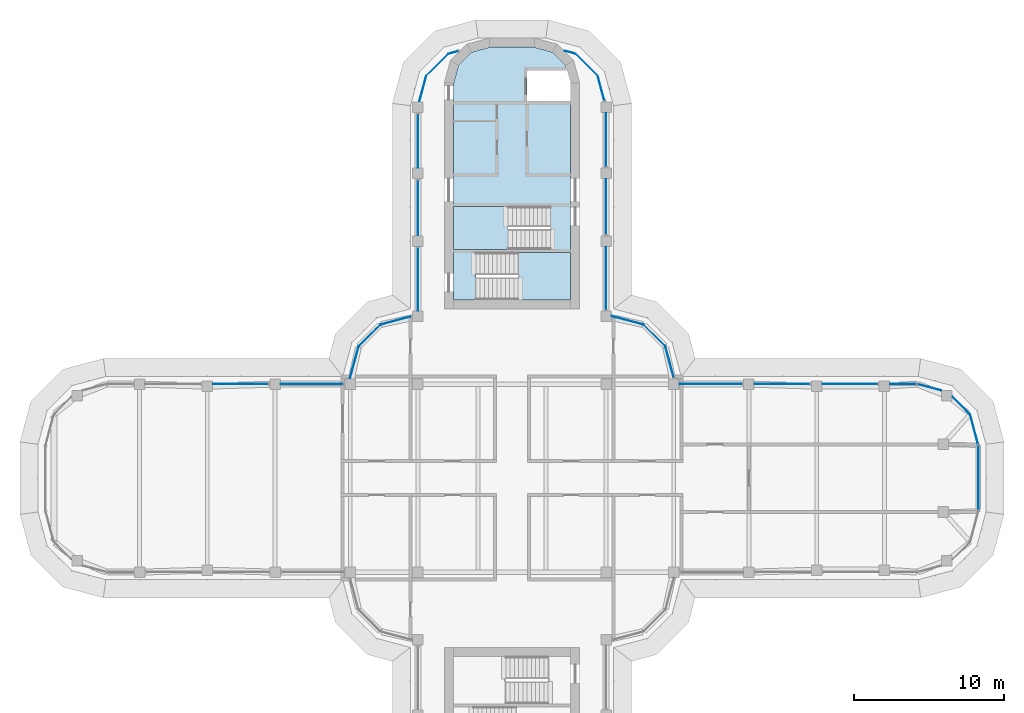
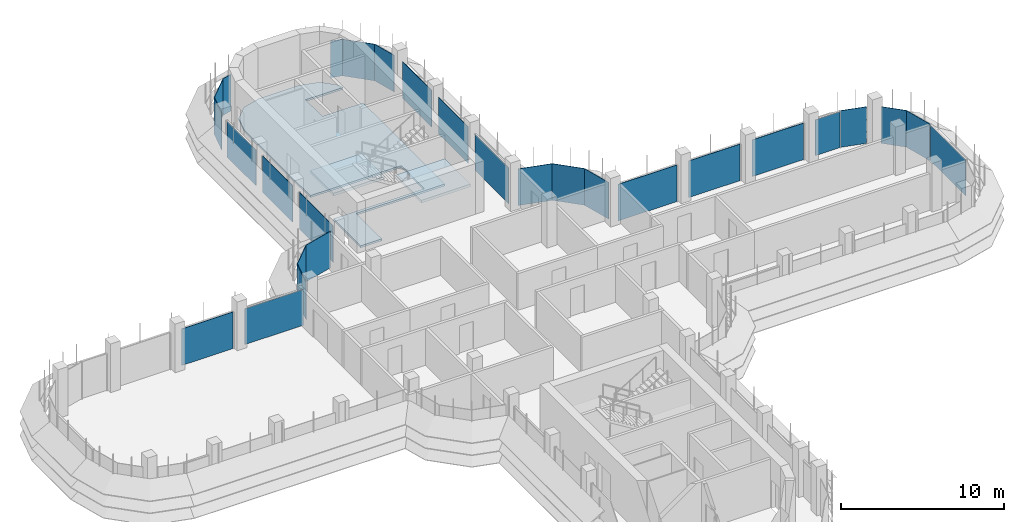
# One storey, part 12 of 19: 28 plates, 3 slabs, 22 elements without a shape of their own.
"""IFC4 building model written with IfcOpenShell, lengths in metres."""

from ifc_helpers import new_model, si_unit, direction, frame, origin, place, context, subcontext, project, spatial, polyline, outline, extrude, source, transform, mapped, material, layer, layer_set, type_object, element, aggregate, save


model = new_model("IFC4")

# Units and contexts
model_context = context("Model", 3, precision=1e-05, world=origin(), true_north=direction((0.0, 1.0)))
body_context = subcontext(model_context, "Body", "Model", "MODEL_VIEW")
ifc_project = project(units=[si_unit("LENGTHUNIT", "METRE"), si_unit("AREAUNIT", "SQUARE_METRE"), si_unit("VOLUMEUNIT", "CUBIC_METRE"), si_unit("PLANEANGLEUNIT", "RADIAN"), si_unit("MASSUNIT", "GRAM", prefix="KILO")], contexts=[model_context])

# Site, building, storey
site_placement = place(None, origin())
site = spatial("IfcSite", under=ifc_project, at=site_placement, CompositionType="ELEMENT")
building_placement = place(site_placement, origin())
building = spatial("IfcBuilding", under=site, at=building_placement, Name="Zarbagh Exchange Tower", CompositionType="ELEMENT")
storey_placement = place(building_placement, frame((0.0, 0.0, 237.199951171875)))
storey = spatial("IfcBuildingStorey", under=building, at=storey_placement, Name="L58", CompositionType="ELEMENT", Elevation=237.199951171875)

# Slab
ifc_material_1 = material(Name="Concrete C40/50", Category="concrete")
ifc_layer_1 = layer(ifc_material_1, 0.14990234375)
ifc_layer_set_1 = layer_set([ifc_layer_1], Name="Core floor slab 150 C40/50")
slab_type_1 = type_object("IfcSlabType", Name="Core floor slab 150 C40/50", PredefinedType="FLOOR", material=ifc_layer_set_1)
slab_1_placement = place(storey_placement, frame((0.0, 0.0, -0.14990234375)))
element("IfcSlab", 1, at=slab_1_placement, inside=storey, type_object=slab_type_1, Name="S17 core N", PredefinedType="FLOOR", context=body_context, shape_type="SweptSolid", body=[
    extrude(outline(polyline([(-3.89990234375, 11.85009765625), (-3.89990234375, 15.199951171875), (2.550048828125, 15.199951171875), (2.550048828125, 18.050048828125), (-3.89990234375, 18.050048828125), (-3.89990234375, 26.1708984375), (-3.56005859375, 27.439453125), (-2.689453125, 28.31005859375), (-1.4208984375, 28.64990234375), (1.4208984375, 28.64990234375), (2.689453125, 28.31005859375), (3.56005859375, 27.439453125), (3.651123046875, 27.10009765625), (1.0, 27.10009765625), (1.0, 25.050048828125), (3.89990234375, 25.050048828125), (3.89990234375, 15.0), (-2.39990234375, 15.0), (-2.39990234375, 11.85009765625), (-3.89990234375, 11.85009765625)])), origin(), (0.0, 0.0, 1.0), 0.14990234375),
])

# Stair, slab
stair_type = type_object("IfcStairType", Name="Exit stair two-flight half-turn", PredefinedType="HALF_TURN_STAIR", material=ifc_material_1)
stair_1_placement = place(storey_placement, origin())
stair_1 = element("IfcStair", 2, at=stair_1_placement, inside=storey, type_object=stair_type, Name="exit stair ST1", PredefinedType="HALF_TURN_STAIR")
ifc_layer_2 = layer(ifc_material_1, 0.199951171875)
ifc_layer_set_2 = layer_set([ifc_layer_2], Name="Stair landing 200 mm")
slab_type_2 = type_object("IfcSlabType", Name="Stair landing 200 mm", PredefinedType="LANDING", material=ifc_layer_set_2)
slab_2_placement = place(storey_placement, frame((0.0, 0.0, 1.699951171875)))
slab_2 = element("IfcSlab", 3, at=slab_2_placement, type_object=slab_type_2, Name="ST1 landing 1", PredefinedType="LANDING", context=body_context, shape_type="SweptSolid", body=[
    extrude(outline(polyline([(-0.25, 18.050048828125), (-3.89990234375, 18.050048828125), (-3.89990234375, 15.199951171875), (-0.25, 15.199951171875), (-0.25, 18.050048828125)])), origin(), (0.0, 0.0, 1.0), 0.2001953125),
])
aggregate(stair_1, [slab_2])

stair_2_placement = place(storey_placement, origin())
stair_2 = element("IfcStair", 4, at=stair_2_placement, inside=storey, type_object=stair_type, Name="exit stair ST2", PredefinedType="HALF_TURN_STAIR")
slab_3_placement = place(storey_placement, frame((0.0, 0.0, 1.699951171875)))
slab_3 = element("IfcSlab", 5, at=slab_3_placement, type_object=slab_type_2, Name="ST2 landing 1", PredefinedType="LANDING", context=body_context, shape_type="SweptSolid", body=[
    extrude(outline(polyline([(0.39990234375, 11.85009765625), (3.89990234375, 11.85009765625), (3.89990234375, 15.0), (0.39990234375, 15.0), (0.39990234375, 11.85009765625)])), origin(), (0.0, 0.0, 1.0), 0.2001953125),
])
aggregate(stair_2, [slab_3])

# Curtain wall, plate
ifc_material_2 = material(Name="Anodised aluminium frame and glazing", Category="aluminium")
curtain_wall_type = type_object("IfcCurtainWallType", Name="CWB Ribbon glazing, upper zones", PredefinedType="NOTDEFINED", material=ifc_material_2)
curtain_wall_1_placement = place(storey_placement, origin())
curtain_wall_1 = element("IfcCurtainWall", 6, at=curtain_wall_1_placement, inside=storey, type_object=curtain_wall_type, Name="CWB18 curtain wall", PredefinedType="NOTDEFINED")
ifc_material_3 = material(Name="Low-e double glazed unit, 6+12+6 mm")
ifc_layer_3 = layer(ifc_material_3, 0.031982421875)
ifc_layer_set_3 = layer_set([ifc_layer_3], Name="PAB Glazing panel, Low-e double glazed unit, 6+12+6 mm")
plate_type = type_object("IfcPlateType", Name="PAB Glazing panel, Low-e double glazed unit, 6+12+6 mm", PredefinedType="CURTAIN_PANEL", material=ifc_layer_set_3)
shared_shape_1 = source(origin(), body_context, "Body", "SweptSolid", [
    extrude(outline(polyline([(0.0, -0.01611328125), (2.061279296875, -0.01611328125), (2.061279296875, 0.01611328125), (0.0, 0.01611328125), (0.0, -0.01611328125)])), origin(), (0.0, 0.0, 1.0), 2.75),
])
placement = place(storey_placement, origin())
plate_1 = element("IfcPlate", 7, at=placement, type_object=plate_type, Name="CWB18 glazing panel 1.1", PredefinedType="CURTAIN_PANEL", context=body_context, shape_type="MappedRepresentation", body=[
    mapped(shared_shape_1, transform((10.19873046875, 8.7412109375, 0.0), x_axis=(-0.707106781187, 0.707106781187, 0.0), y_axis=(-0.707106781187, -0.707106781187, 0.0), z_axis=(0.0, 0.0, 1.0))),
])
aggregate(curtain_wall_1, [plate_1])

curtain_wall_2_placement = place(storey_placement, origin())
curtain_wall_2 = element("IfcCurtainWall", 8, at=curtain_wall_2_placement, inside=storey, type_object=curtain_wall_type, Name="CWB74 curtain wall", PredefinedType="NOTDEFINED")
plate_2 = element("IfcPlate", 9, at=placement, type_object=plate_type, Name="CWB74 glazing panel 1.1", PredefinedType="CURTAIN_PANEL", context=body_context, shape_type="MappedRepresentation", body=[
    mapped(shared_shape_1, transform((5.69873046875, 26.7412109375, 0.0), x_axis=(-0.707106781187, 0.707106781187, 0.0), y_axis=(-0.707106781187, -0.707106781187, 0.0), z_axis=(0.0, 0.0, 1.0))),
])
aggregate(curtain_wall_2, [plate_2])

curtain_wall_3_placement = place(storey_placement, origin())
curtain_wall_3 = element("IfcCurtainWall", 10, at=curtain_wall_3_placement, inside=storey, type_object=curtain_wall_type, Name="CWB71 curtain wall", PredefinedType="NOTDEFINED")
plate_3 = element("IfcPlate", 11, at=placement, type_object=plate_type, Name="CWB71 glazing panel 1.1", PredefinedType="CURTAIN_PANEL", context=body_context, shape_type="MappedRepresentation", body=[
    mapped(shared_shape_1, transform((-4.2412109375, 28.19873046875, 0.0), x_axis=(-0.707106781187, -0.707106781187, 0.0), y_axis=(0.707106781187, -0.707106781187, 0.0), z_axis=(0.0, 0.0, 1.0))),
])
aggregate(curtain_wall_3, [plate_3])

curtain_wall_4_placement = place(storey_placement, origin())
curtain_wall_4 = element("IfcCurtainWall", 12, at=curtain_wall_4_placement, inside=storey, type_object=curtain_wall_type, Name="CWB30 curtain wall", PredefinedType="NOTDEFINED")
plate_4 = element("IfcPlate", 13, at=placement, type_object=plate_type, Name="CWB30 glazing panel 1.1", PredefinedType="CURTAIN_PANEL", context=body_context, shape_type="MappedRepresentation", body=[
    mapped(shared_shape_1, transform((-8.7412109375, 10.19873046875, 0.0), x_axis=(-0.707106781187, -0.707106781187, 0.0), y_axis=(0.707106781187, -0.707106781187, 0.0), z_axis=(0.0, 0.0, 1.0))),
])
aggregate(curtain_wall_4, [plate_4])

curtain_wall_5_placement = place(storey_placement, origin())
curtain_wall_5 = element("IfcCurtainWall", 14, at=curtain_wall_5_placement, inside=storey, type_object=curtain_wall_type, Name="CWB67 curtain wall", PredefinedType="NOTDEFINED")
shared_shape_2 = source(origin(), body_context, "Body", "SweptSolid", [
    extrude(outline(polyline([(0.0, -0.01611328125), (3.56005859375, -0.01611328125), (3.56005859375, 0.01611328125), (0.0, 0.01611328125), (0.0, -0.01611328125)])), origin(), (0.0, 0.0, 1.0), 2.75),
])
plate_5 = element("IfcPlate", 15, at=placement, type_object=plate_type, Name="CWB67 glazing panel 3.1", PredefinedType="CURTAIN_PANEL", context=body_context, shape_type="MappedRepresentation", body=[
    mapped(shared_shape_2, transform((6.25, 20.699951171875, 0.0), x_axis=(0.0, 1.0, 0.0), y_axis=(-1.0, 0.0, 0.0), z_axis=(0.0, 0.0, 1.0))),
])

curtain_wall_6_placement = place(storey_placement, origin())
curtain_wall_6 = element("IfcCurtainWall", 16, at=curtain_wall_6_placement, inside=storey, type_object=curtain_wall_type, Name="CWB12 curtain wall", PredefinedType="NOTDEFINED")
shared_shape_3 = source(origin(), body_context, "Body", "SweptSolid", [
    extrude(outline(polyline([(0.0, -0.01611328125), (4.308349609375, -0.01611328125), (4.308349609375, 0.01611328125), (0.0, 0.01611328125), (0.0, -0.01611328125)])), origin(), (0.0, 0.0, 1.0), 2.68994140625),
])
plate_6 = element("IfcPlate", 17, at=placement, type_object=plate_type, Name="CWB12 glazing panel 1.1", PredefinedType="CURTAIN_PANEL", context=body_context, shape_type="MappedRepresentation", body=[
    mapped(shared_shape_3, transform((31.0, -2.124267578125, 0.0), x_axis=(0.0, 1.0, 0.0), y_axis=(-1.0, 0.0, 0.0), z_axis=(0.0, 0.0, 1.0))),
])
aggregate(curtain_wall_6, [plate_6])

curtain_wall_7_placement = place(storey_placement, origin())
curtain_wall_7 = element("IfcCurtainWall", 18, at=curtain_wall_7_placement, inside=storey, type_object=curtain_wall_type, Name="CWB13 curtain wall", PredefinedType="NOTDEFINED")
shared_shape_4 = source(origin(), body_context, "Body", "SweptSolid", [
    extrude(outline(polyline([(0.0, -0.01611328125), (2.069580078125, -0.01611328125), (2.069580078125, 0.01611328125), (0.0, 0.01611328125), (0.0, -0.01611328125)])), origin(), (0.0, 0.0, 1.0), 2.75),
])
plate_7 = element("IfcPlate", 19, at=placement, type_object=plate_type, Name="CWB13 glazing panel 1.1", PredefinedType="CURTAIN_PANEL", context=body_context, shape_type="MappedRepresentation", body=[
    mapped(shared_shape_4, transform((30.984375, 2.2421875, 0.0), x_axis=(-0.258824779902, 0.965924289636, 0.0), y_axis=(-0.965924289636, -0.258824779902, 0.0), z_axis=(0.0, 0.0, 1.0))),
])
aggregate(curtain_wall_7, [plate_7])

curtain_wall_8_placement = place(storey_placement, origin())
curtain_wall_8 = element("IfcCurtainWall", 20, at=curtain_wall_8_placement, inside=storey, type_object=curtain_wall_type, Name="CWB73 curtain wall", PredefinedType="NOTDEFINED")
shared_shape_5 = source(origin(), body_context, "Body", "SweptSolid", [
    extrude(outline(polyline([(0.0, -0.01611328125), (3.56005859375, -0.01611328125), (3.56005859375, 0.01611328125), (0.0, 0.01611328125), (0.0, -0.01611328125)])), origin(), (0.0, 0.0, 1.0), 2.68994140625),
])
plate_8 = element("IfcPlate", 21, at=placement, type_object=plate_type, Name="CWB73 glazing panel 1.1", PredefinedType="CURTAIN_PANEL", context=body_context, shape_type="MappedRepresentation", body=[
    mapped(shared_shape_5, transform((-6.25, 24.199951171875, 0.0), x_axis=(0.0, -1.0, 0.0), y_axis=(1.0, 0.0, 0.0), z_axis=(0.0, 0.0, 1.0))),
])

curtain_wall_9_placement = place(storey_placement, origin())
curtain_wall_9 = element("IfcCurtainWall", 22, at=curtain_wall_9_placement, inside=storey, type_object=curtain_wall_type, Name="CWB72 curtain wall", PredefinedType="NOTDEFINED")
shared_shape_6 = source(origin(), body_context, "Body", "SweptSolid", [
    extrude(outline(polyline([(0.0, -0.01611328125), (1.76123046875, -0.01611328125), (1.76123046875, 0.01611328125), (0.0, 0.01611328125), (0.0, -0.01611328125)])), origin(), (0.0, 0.0, 1.0), 2.75),
])
plate_9 = element("IfcPlate", 23, at=placement, type_object=plate_type, Name="CWB72 glazing panel 1.1", PredefinedType="CURTAIN_PANEL", context=body_context, shape_type="MappedRepresentation", body=[
    mapped(shared_shape_6, transform((-5.69873046875, 26.7412109375, 0.0), x_axis=(-0.258824779902, -0.965924289636, 0.0), y_axis=(0.965924289636, -0.258824779902, 0.0), z_axis=(0.0, 0.0, 1.0))),
])
aggregate(curtain_wall_9, [plate_9])

# Curtain wall, plates
curtain_wall_10_placement = place(storey_placement, origin())
curtain_wall_10 = element("IfcCurtainWall", 24, at=curtain_wall_10_placement, inside=storey, type_object=curtain_wall_type, Name="CWB16 curtain wall", PredefinedType="NOTDEFINED")
shared_shape_7 = source(origin(), body_context, "Body", "SweptSolid", [
    extrude(outline(polyline([(0.0, -0.01611328125), (3.659912109375, -0.01611328125), (3.659912109375, 0.01611328125), (0.0, 0.01611328125), (0.0, -0.01611328125)])), origin(), (0.0, 0.0, 1.0), 2.75),
])
plate_10 = element("IfcPlate", 25, at=placement, type_object=plate_type, Name="CWB16 glazing panel 2.1", PredefinedType="CURTAIN_PANEL", context=body_context, shape_type="MappedRepresentation", body=[
    mapped(shared_shape_7, transform((24.300048828125, 6.25, 0.0), x_axis=(-1.0, 0.0, 0.0), y_axis=(0.0, -1.0, 0.0), z_axis=(0.0, 0.0, 1.0))),
])
plate_11 = element("IfcPlate", 26, at=placement, type_object=plate_type, Name="CWB16 glazing panel 3.1", PredefinedType="CURTAIN_PANEL", context=body_context, shape_type="MappedRepresentation", body=[
    mapped(shared_shape_7, transform((19.800048828125, 6.25, 0.0), x_axis=(-1.0, 0.0, 0.0), y_axis=(0.0, -1.0, 0.0), z_axis=(0.0, 0.0, 1.0))),
])

# Plate
plate_12 = element("IfcPlate", 27, at=placement, type_object=plate_type, Name="CWB67 glazing panel 2.1", PredefinedType="CURTAIN_PANEL", context=body_context, shape_type="MappedRepresentation", body=[
    mapped(shared_shape_7, transform((6.25, 16.199951171875, 0.0), x_axis=(0.0, 1.0, 0.0), y_axis=(-1.0, 0.0, 0.0), z_axis=(0.0, 0.0, 1.0))),
])

plate_13 = element("IfcPlate", 28, at=placement, type_object=plate_type, Name="CWB73 glazing panel 2.1", PredefinedType="CURTAIN_PANEL", context=body_context, shape_type="MappedRepresentation", body=[
    mapped(shared_shape_7, transform((-6.25, 19.800048828125, 0.0), x_axis=(0.0, -1.0, 0.0), y_axis=(1.0, 0.0, 0.0), z_axis=(0.0, 0.0, 1.0))),
])

# Curtain wall, plate
curtain_wall_11_placement = place(storey_placement, origin())
curtain_wall_11 = element("IfcCurtainWall", 29, at=curtain_wall_11_placement, inside=storey, type_object=curtain_wall_type, Name="CWB58 curtain wall", PredefinedType="NOTDEFINED")
plate_14 = element("IfcPlate", 30, at=placement, type_object=plate_type, Name="CWB58 glazing panel 2.1", PredefinedType="CURTAIN_PANEL", context=body_context, shape_type="MappedRepresentation", body=[
    mapped(shared_shape_7, transform((-16.199951171875, 6.25, 0.0), x_axis=(-1.0, 0.0, 0.0), y_axis=(0.0, -1.0, 0.0), z_axis=(0.0, 0.0, 1.0))),
])

# Plate
shared_shape_8 = source(origin(), body_context, "Body", "SweptSolid", [
    extrude(outline(polyline([(0.0, -0.01611328125), (4.159912109375, -0.01611328125), (4.159912109375, 0.01611328125), (0.0, 0.01611328125), (0.0, -0.01611328125)])), origin(), (0.0, 0.0, 1.0), 2.75),
])
plate_15 = element("IfcPlate", 31, at=placement, type_object=plate_type, Name="CWB16 glazing panel 4.1", PredefinedType="CURTAIN_PANEL", context=body_context, shape_type="MappedRepresentation", body=[
    mapped(shared_shape_8, transform((15.300048828125, 6.25, 0.0), x_axis=(-1.0, 0.0, 0.0), y_axis=(0.0, -1.0, 0.0), z_axis=(0.0, 0.0, 1.0))),
])

plate_16 = element("IfcPlate", 32, at=placement, type_object=plate_type, Name="CWB73 glazing panel 3.1", PredefinedType="CURTAIN_PANEL", context=body_context, shape_type="MappedRepresentation", body=[
    mapped(shared_shape_8, transform((-6.25, 15.300048828125, 0.0), x_axis=(0.0, -1.0, 0.0), y_axis=(1.0, 0.0, 0.0), z_axis=(0.0, 0.0, 1.0))),
])

aggregate(curtain_wall_8, [plate_8, plate_13, plate_16])

# Curtain wall, plate
curtain_wall_12_placement = place(storey_placement, origin())
curtain_wall_12 = element("IfcCurtainWall", 33, at=curtain_wall_12_placement, inside=storey, type_object=curtain_wall_type, Name="CWB17 curtain wall", PredefinedType="NOTDEFINED")
shared_shape_9 = source(origin(), body_context, "Body", "SweptSolid", [
    extrude(outline(polyline([(0.0, -0.01611328125), (2.115234375, -0.01611328125), (2.115234375, 0.01611328125), (0.0, 0.01611328125), (0.0, -0.01611328125)])), origin(), (0.0, 0.0, 1.0), 2.75),
])
plate_17 = element("IfcPlate", 34, at=placement, type_object=plate_type, Name="CWB17 glazing panel 1.1", PredefinedType="CURTAIN_PANEL", context=body_context, shape_type="MappedRepresentation", body=[
    mapped(shared_shape_9, transform((10.746337890625, 6.697998046875, 0.0), x_axis=(-0.258824779902, 0.965924289636, 0.0), y_axis=(-0.965924289636, -0.258824779902, 0.0), z_axis=(0.0, 0.0, 1.0))),
])
aggregate(curtain_wall_12, [plate_17])

curtain_wall_13_placement = place(storey_placement, origin())
curtain_wall_13 = element("IfcCurtainWall", 35, at=curtain_wall_13_placement, inside=storey, type_object=curtain_wall_type, Name="CWB29 curtain wall", PredefinedType="NOTDEFINED")
plate_18 = element("IfcPlate", 36, at=placement, type_object=plate_type, Name="CWB29 glazing panel 1.1", PredefinedType="CURTAIN_PANEL", context=body_context, shape_type="MappedRepresentation", body=[
    mapped(shared_shape_9, transform((-6.697998046875, 10.746337890625, 0.0), x_axis=(-0.965924289636, -0.258824779902, 0.0), y_axis=(0.258824779902, -0.965924289636, 0.0), z_axis=(0.0, 0.0, 1.0))),
])
aggregate(curtain_wall_13, [plate_18])

curtain_wall_14_placement = place(storey_placement, origin())
curtain_wall_14 = element("IfcCurtainWall", 37, at=curtain_wall_14_placement, inside=storey, type_object=curtain_wall_type, Name="CWB19 curtain wall", PredefinedType="NOTDEFINED")
shared_shape_10 = source(origin(), body_context, "Body", "SweptSolid", [
    extrude(outline(polyline([(0.0, -0.01611328125), (2.17529296875, -0.01611328125), (2.17529296875, 0.01611328125), (0.0, 0.01611328125), (0.0, -0.01611328125)])), origin(), (0.0, 0.0, 1.0), 2.75),
])
plate_19 = element("IfcPlate", 38, at=placement, type_object=plate_type, Name="CWB19 glazing panel 1.1", PredefinedType="CURTAIN_PANEL", context=body_context, shape_type="MappedRepresentation", body=[
    mapped(shared_shape_10, transform((8.7412109375, 10.19873046875, 0.0), x_axis=(-0.965924289636, 0.258824779902, 0.0), y_axis=(-0.258824779902, -0.965924289636, 0.0), z_axis=(0.0, 0.0, 1.0))),
])
aggregate(curtain_wall_14, [plate_19])

curtain_wall_15_placement = place(storey_placement, origin())
curtain_wall_15 = element("IfcCurtainWall", 39, at=curtain_wall_15_placement, inside=storey, type_object=curtain_wall_type, Name="CWB31 curtain wall", PredefinedType="NOTDEFINED")
plate_20 = element("IfcPlate", 40, at=placement, type_object=plate_type, Name="CWB31 glazing panel 1.1", PredefinedType="CURTAIN_PANEL", context=body_context, shape_type="MappedRepresentation", body=[
    mapped(shared_shape_10, transform((-10.19873046875, 8.7412109375, 0.0), x_axis=(-0.258824779902, -0.965924289636, 0.0), y_axis=(0.965924289636, -0.258824779902, 0.0), z_axis=(0.0, 0.0, 1.0))),
])
aggregate(curtain_wall_15, [plate_20])

# Plate
shared_shape_11 = source(origin(), body_context, "Body", "SweptSolid", [
    extrude(outline(polyline([(0.0, -0.01611328125), (4.159912109375, -0.01611328125), (4.159912109375, 0.01611328125), (0.0, 0.01611328125), (0.0, -0.01611328125)])), origin(), (0.0, 0.0, 1.0), 2.68994140625),
])
plate_21 = element("IfcPlate", 41, at=placement, type_object=plate_type, Name="CWB67 glazing panel 1.1", PredefinedType="CURTAIN_PANEL", context=body_context, shape_type="MappedRepresentation", body=[
    mapped(shared_shape_11, transform((6.25, 11.199951171875, 0.0), x_axis=(0.0, 1.0, 0.0), y_axis=(-1.0, 0.0, 0.0), z_axis=(0.0, 0.0, 1.0))),
])

aggregate(curtain_wall_5, [plate_21, plate_12, plate_5])

plate_22 = element("IfcPlate", 42, at=placement, type_object=plate_type, Name="CWB58 glazing panel 1.1", PredefinedType="CURTAIN_PANEL", context=body_context, shape_type="MappedRepresentation", body=[
    mapped(shared_shape_11, transform((-11.199951171875, 6.25, 0.0), x_axis=(-1.0, 0.0, 0.0), y_axis=(0.0, -1.0, 0.0), z_axis=(0.0, 0.0, 1.0))),
])

aggregate(curtain_wall_11, [plate_22, plate_14])

# Curtain wall, plate
curtain_wall_16_placement = place(storey_placement, origin())
curtain_wall_16 = element("IfcCurtainWall", 43, at=curtain_wall_16_placement, inside=storey, type_object=curtain_wall_type, Name="CWB14 curtain wall", PredefinedType="NOTDEFINED")
shared_shape_12 = source(origin(), body_context, "Body", "SweptSolid", [
    extrude(outline(polyline([(0.0, -0.01611328125), (1.62744140625, -0.01611328125), (1.62744140625, 0.01611328125), (0.0, 0.01611328125), (0.0, -0.01611328125)])), origin(), (0.0, 0.0, 1.0), 2.75),
])
plate_23 = element("IfcPlate", 44, at=placement, type_object=plate_type, Name="CWB14 glazing panel 1.1", PredefinedType="CURTAIN_PANEL", context=body_context, shape_type="MappedRepresentation", body=[
    mapped(shared_shape_12, transform((30.44873046875, 4.2412109375, 0.0), x_axis=(-0.707106781187, 0.707106781187, 0.0), y_axis=(-0.707106781187, -0.707106781187, 0.0), z_axis=(0.0, 0.0, 1.0))),
])
aggregate(curtain_wall_16, [plate_23])

curtain_wall_17_placement = place(storey_placement, origin())
curtain_wall_17 = element("IfcCurtainWall", 45, at=curtain_wall_17_placement, inside=storey, type_object=curtain_wall_type, Name="CWB15 curtain wall", PredefinedType="NOTDEFINED")
shared_shape_13 = source(origin(), body_context, "Body", "SweptSolid", [
    extrude(outline(polyline([(0.0, -0.01611328125), (1.6396484375, -0.01611328125), (1.6396484375, 0.01611328125), (0.0, 0.01611328125), (0.0, -0.01611328125)])), origin(), (0.0, 0.0, 1.0), 2.75),
])
plate_24 = element("IfcPlate", 46, at=placement, type_object=plate_type, Name="CWB15 glazing panel 1.1", PredefinedType="CURTAIN_PANEL", context=body_context, shape_type="MappedRepresentation", body=[
    mapped(shared_shape_13, transform((28.51806640625, 5.82568359375, 0.0), x_axis=(-0.965924289636, 0.258824779902, 0.0), y_axis=(-0.258824779902, -0.965924289636, 0.0), z_axis=(0.0, 0.0, 1.0))),
])
aggregate(curtain_wall_17, [plate_24])

# Plate
shared_shape_14 = source(origin(), body_context, "Body", "SweptSolid", [
    extrude(outline(polyline([(0.0, -0.01611328125), (1.734130859375, -0.01611328125), (1.734130859375, 0.01611328125), (0.0, 0.01611328125), (0.0, -0.01611328125)])), origin(), (0.0, 0.0, 1.0), 2.68994140625),
])
plate_25 = element("IfcPlate", 47, at=placement, type_object=plate_type, Name="CWB16 glazing panel 1.1", PredefinedType="CURTAIN_PANEL", context=body_context, shape_type="MappedRepresentation", body=[
    mapped(shared_shape_14, transform((26.874267578125, 6.25, 0.0), x_axis=(-1.0, 0.0, 0.0), y_axis=(0.0, -1.0, 0.0), z_axis=(0.0, 0.0, 1.0))),
])

aggregate(curtain_wall_10, [plate_25, plate_10, plate_11, plate_15])

# Curtain wall, plate
curtain_wall_18_placement = place(storey_placement, origin())
curtain_wall_18 = element("IfcCurtainWall", 48, at=curtain_wall_18_placement, inside=storey, type_object=curtain_wall_type, Name="CWB68 curtain wall", PredefinedType="NOTDEFINED")
shared_shape_15 = source(origin(), body_context, "Body", "SweptSolid", [
    extrude(outline(polyline([(0.0, -0.01611328125), (1.701171875, -0.01611328125), (1.701171875, 0.01611328125), (0.0, 0.01611328125), (0.0, -0.01611328125)])), origin(), (0.0, 0.0, 1.0), 2.75),
])
plate_26 = element("IfcPlate", 49, at=placement, type_object=plate_type, Name="CWB68 glazing panel 1.1", PredefinedType="CURTAIN_PANEL", context=body_context, shape_type="MappedRepresentation", body=[
    mapped(shared_shape_15, transform((6.13916015625, 25.097900390625, 0.0), x_axis=(-0.258824779902, 0.965924289636, 0.0), y_axis=(-0.965924289636, -0.258824779902, 0.0), z_axis=(0.0, 0.0, 1.0))),
])
aggregate(curtain_wall_18, [plate_26])

curtain_wall_19_placement = place(storey_placement, origin())
curtain_wall_19 = element("IfcCurtainWall", 50, at=curtain_wall_19_placement, inside=storey, type_object=curtain_wall_type, Name="CWB69 curtain wall", PredefinedType="NOTDEFINED")
shared_shape_16 = source(origin(), body_context, "Body", "SweptSolid", [
    extrude(outline(polyline([(0.0, -0.01611328125), (0.757080078125, -0.01611328125), (0.757080078125, 0.01611328125), (0.0, 0.01611328125), (0.0, -0.01611328125)])), origin(), (0.0, 0.0, 1.0), 2.75),
])
plate_27 = element("IfcPlate", 51, at=placement, type_object=plate_type, Name="CWB69 glazing panel 1.1", PredefinedType="CURTAIN_PANEL", context=body_context, shape_type="MappedRepresentation", body=[
    mapped(shared_shape_16, transform((4.2412109375, 28.19873046875, 0.0), x_axis=(-0.965924289636, 0.258824779902, 0.0), y_axis=(-0.258824779902, -0.965924289636, 0.0), z_axis=(0.0, 0.0, 1.0))),
])
aggregate(curtain_wall_19, [plate_27])

curtain_wall_20_placement = place(storey_placement, origin())
curtain_wall_20 = element("IfcCurtainWall", 52, at=curtain_wall_20_placement, inside=storey, type_object=curtain_wall_type, Name="CWB70 curtain wall", PredefinedType="NOTDEFINED")
shared_shape_17 = source(origin(), body_context, "Body", "SweptSolid", [
    extrude(outline(polyline([(0.0, -0.01611328125), (0.697021484375, -0.01611328125), (0.697021484375, 0.01611328125), (0.0, 0.01611328125), (0.0, -0.01611328125)])), origin(), (0.0, 0.0, 1.0), 2.75),
])
plate_28 = element("IfcPlate", 53, at=placement, type_object=plate_type, Name="CWB70 glazing panel 1.1", PredefinedType="CURTAIN_PANEL", context=body_context, shape_type="MappedRepresentation", body=[
    mapped(shared_shape_17, transform((-3.56787109375, 28.379150390625, 0.0), x_axis=(-0.965924289636, -0.258824779902, 0.0), y_axis=(0.258824779902, -0.965924289636, 0.0), z_axis=(0.0, 0.0, 1.0))),
])
aggregate(curtain_wall_20, [plate_28])

save(model, "model.ifc")
